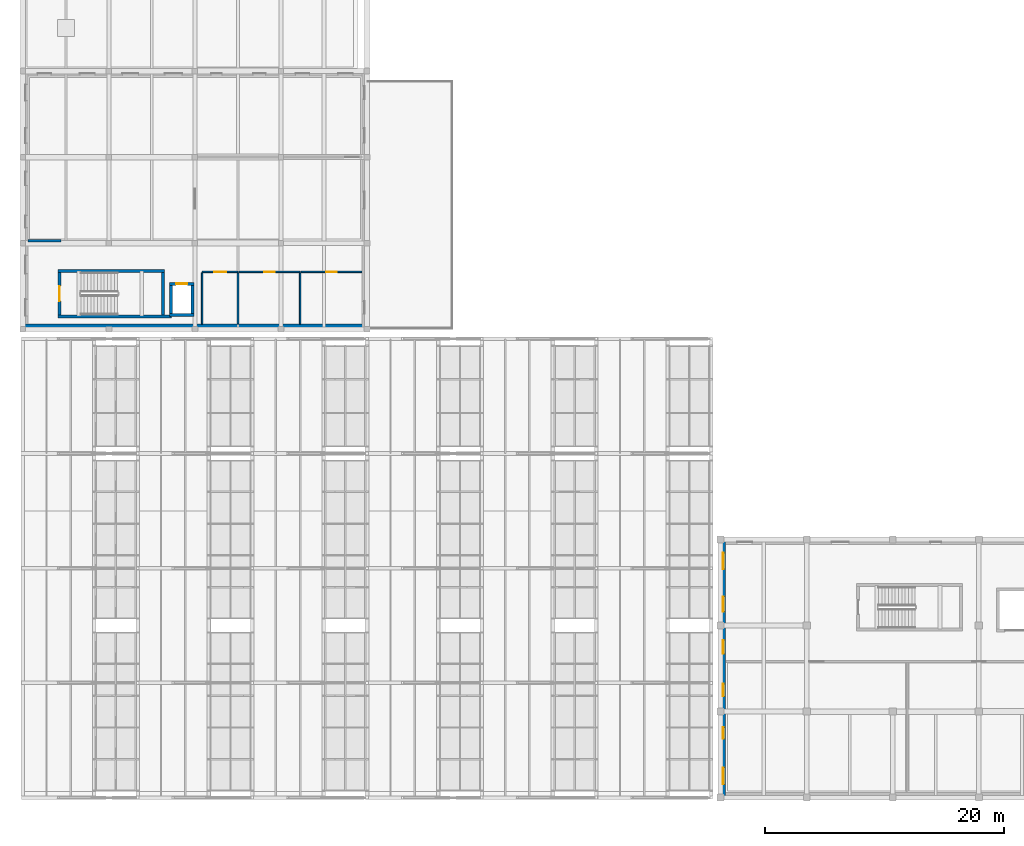
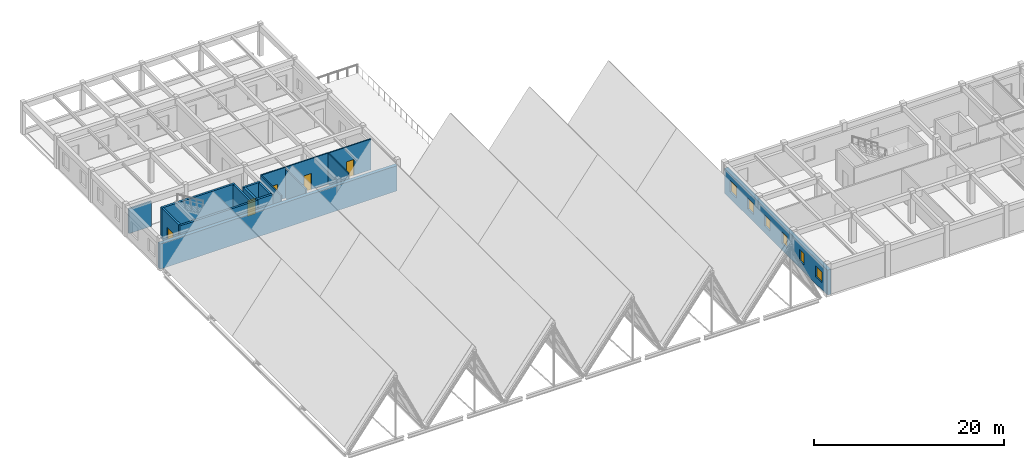
# One storey, part 82 of 99: 17 walls, 6 windows, 5 doors, 11 openings.
"""IFC4 building model written with IfcOpenShell, lengths in metres."""

from ifc_helpers import new_model, si_unit, direction, frame, frame_2d, origin, place, context, subcontext, project, spatial, rectangle, extrude, material, layer, layer_set, type_object, element, fill, save


model = new_model("IFC4")

# Units and contexts
model_context = context("Model", 3, precision=1e-05, world=origin(), true_north=direction((0.0, 1.0)))
body_context = subcontext(model_context, "Body", "Model", "MODEL_VIEW")
ifc_project = project(units=[si_unit("LENGTHUNIT", "METRE"), si_unit("AREAUNIT", "SQUARE_METRE"), si_unit("VOLUMEUNIT", "CUBIC_METRE"), si_unit("PLANEANGLEUNIT", "RADIAN"), si_unit("MASSUNIT", "GRAM", prefix="KILO")], contexts=[model_context])

# Site, building, storey
site_placement = place(None, origin())
site = spatial("IfcSite", under=ifc_project, at=site_placement, CompositionType="ELEMENT")
building_placement = place(site_placement, origin())
building = spatial("IfcBuilding", under=site, at=building_placement, Name="Bramveld Media Centre", CompositionType="ELEMENT")
storey_placement = place(building_placement, frame((0.0, 0.0, 13.800048828125)))
storey = spatial("IfcBuildingStorey", under=building, at=storey_placement, Name="L03", CompositionType="ELEMENT", Elevation=13.800048828125)

# Walls
ifc_material_1 = material(Name="Concrete C40/50 stair & lift core wall", Category="concrete")
ifc_layer_1 = layer(ifc_material_1, 0.25)
ifc_layer_set_1 = layer_set([ifc_layer_1], Name="Concrete C40/50 stair & lift core wall")
wall_type_1 = type_object("IfcWallType", Name="CWALL-SHEAR-250", PredefinedType="SHEAR", material=ifc_layer_set_1)
wall_1_placement = place(storey_placement, frame((2.949951171875, 40.27490234375, 0.0), z_axis=(0.0, 0.0, 1.0), x_axis=(1.0, 0.0, 0.0)))
element("IfcWall", 1, at=wall_1_placement, inside=storey, type_object=wall_type_1, Name="ST-04 L03 stair core shear wall S", PredefinedType="SHEAR", context=body_context, shape_type="SweptSolid", body=[
    extrude(rectangle(XDim=9.469970703125, YDim=0.25, at=frame_2d((4.73486328125, 0.0))), origin(), (0.0, 0.0, 1.0), 3.9599609375),
])
wall_2_placement = place(storey_placement, frame((11.85009765625, 44.074951171875, 0.0), z_axis=(0.0, 0.0, 1.0), x_axis=(-1.0, 0.0, 0.0)))
element("IfcWall", 2, at=wall_2_placement, inside=storey, type_object=wall_type_1, Name="ST-04 L03 stair core shear wall N", PredefinedType="SHEAR", context=body_context, shape_type="SweptSolid", body=[
    extrude(rectangle(XDim=8.900146484375, YDim=0.25, at=frame_2d((4.4501953125, 0.0))), origin(), (0.0, 0.0, 1.0), 3.9599609375),
])

# Wall, opening, door
wall_3_placement = place(storey_placement, frame((3.074951171875, 43.949951171875, 0.0), z_axis=(0.0, 0.0, 1.0), x_axis=(0.0, -1.0, 0.0)))
wall_3 = element("IfcWall", 3, at=wall_3_placement, inside=storey, type_object=wall_type_1, Name="ST-04 L03 stair core shear wall W", PredefinedType="SHEAR", context=body_context, shape_type="SweptSolid", body=[
    extrude(rectangle(XDim=3.550048828125, YDim=0.25, at=frame_2d((1.77490234375, 0.0))), origin(), (0.0, 0.0, 1.0), 3.9599609375),
])
opening_1_placement = place(wall_3_placement, frame((1.14990234375, 0.0, 0.0)))
opening_1 = element("IfcOpeningElement", 4, at=opening_1_placement, cuts=wall_3, Name="Opening SD-04-L03", PredefinedType="OPENING", context=body_context, shape_type="SweptSolid", body=[
    extrude(rectangle(XDim=1.25, YDim=2.14990234375, at=frame_2d((0.625, 1.074951171875))), frame((0.0, 0.136962890625, 0.0), z_axis=(0.0, -1.0, 0.0), x_axis=(1.0, 0.0, 0.0)), (0.0, 0.0, 1.0), 0.27392578125),
])
ifc_material_2 = material(Name="Painted galvanized steel acoustic fire door with intumescent smoke seals", Category="steel")
door_type_1 = type_object("IfcDoorType", Name="DR-ST-1250", OperationType="NOTDEFINED", PredefinedType="DOOR", material=ifc_material_2)
door_1_placement = place(opening_1_placement, origin())
door_1 = element("IfcDoor", 5, at=door_1_placement, inside=storey, type_object=door_type_1, Name="ST-04 L03 pressurized stair fire door", OperationType="SINGLE_SWING_LEFT", OverallHeight=2.14990234375, OverallWidth=1.25, PredefinedType="DOOR", context=body_context, shape_type="SweptSolid", body=[
    extrude(rectangle(XDim=1.25, YDim=2.14990234375, at=frame_2d((0.625, 1.074951171875))), frame((0.0, 0.02490234375, 0.0), z_axis=(0.0, -1.0, 0.0), x_axis=(1.0, 0.0, 0.0)), (0.0, 0.0, 1.0), 0.050048828125),
])
fill(opening_1, door_1)

# Walls
wall_4_placement = place(storey_placement, frame((11.72509765625, 40.39990234375, 0.0), z_axis=(0.0, 0.0, 1.0), x_axis=(0.0, 1.0, 0.0)))
element("IfcWall", 6, at=wall_4_placement, inside=storey, type_object=wall_type_1, Name="ST-04 L03 stair core shear wall E", PredefinedType="SHEAR", context=body_context, shape_type="SweptSolid", body=[
    extrude(rectangle(XDim=3.550048828125, YDim=0.25, at=frame_2d((1.77490234375, 0.0))), origin(), (0.0, 0.0, 1.0), 3.9599609375),
])
wall_5_placement = place(storey_placement, frame((12.27490234375, 40.39990234375, 0.0), z_axis=(0.0, 0.0, 1.0), x_axis=(1.0, 0.0, 0.0)))
element("IfcWall", 7, at=wall_5_placement, inside=storey, type_object=wall_type_1, Name="PL-05 L03 lift shaft wall S", PredefinedType="SHEAR", context=body_context, shape_type="SweptSolid", body=[
    extrude(rectangle(XDim=2.050048828125, YDim=0.25, at=frame_2d((1.02490234375, 0.0))), origin(), (0.0, 0.0, 1.0), 3.9599609375),
])

# Wall, opening, door
wall_6_placement = place(storey_placement, frame((14.324951171875, 43.0, 0.0), z_axis=(0.0, 0.0, 1.0), x_axis=(-1.0, 0.0, 0.0)))
wall_6 = element("IfcWall", 8, at=wall_6_placement, inside=storey, type_object=wall_type_1, Name="PL-05 L03 lift shaft wall N", PredefinedType="SHEAR", context=body_context, shape_type="SweptSolid", body=[
    extrude(rectangle(XDim=2.050048828125, YDim=0.25, at=frame_2d((1.02490234375, 0.0))), origin(), (0.0, 0.0, 1.0), 3.9599609375),
])
opening_2_placement = place(wall_6_placement, frame((0.550048828125, 0.0, 0.0)))
opening_2 = element("IfcOpeningElement", 9, at=opening_2_placement, cuts=wall_6, Name="Opening LD-03-05-L03", PredefinedType="OPENING", context=body_context, shape_type="SweptSolid", body=[
    extrude(rectangle(XDim=0.949951171875, YDim=2.10009765625, at=frame_2d((0.47509765625, 1.050048828125))), frame((0.0, 0.136962890625, 0.0), z_axis=(0.0, -1.0, 0.0), x_axis=(1.0, 0.0, 0.0)), (0.0, 0.0, 1.0), 0.27392578125),
])
ifc_material_3 = material(Name="Brushed stainless steel automatic fire-rated sliding lift landing door", Category="steel")
door_type_2 = type_object("IfcDoorType", Name="LD-TYPE-03", OperationType="SLIDING_TO_LEFT", PredefinedType="DOOR", material=ifc_material_3)
door_2_placement = place(opening_2_placement, origin())
door_2 = element("IfcDoor", 10, at=door_2_placement, inside=storey, type_object=door_type_2, Name="PL-05 L03 sliding lift landing door", OperationType="SLIDING_TO_LEFT", OverallHeight=2.10009765625, OverallWidth=0.949951171875, PredefinedType="DOOR", context=body_context, shape_type="SweptSolid", body=[
    extrude(rectangle(XDim=0.949951171875, YDim=2.10009765625, at=frame_2d((0.47509765625, 1.050048828125))), frame((0.0, 0.02490234375, 0.0), z_axis=(0.0, -1.0, 0.0), x_axis=(1.0, 0.0, 0.0)), (0.0, 0.0, 1.0), 0.050048828125),
])
fill(opening_2, door_2)

# Walls
for number, where, z_axis, x_axis, name in (
    (11, (12.39990234375, 43.0, 0.0), (0.0, 0.0, 1.0), (0.0, -1.0, 0.0), "PL-05 L03 lift shaft wall W"),
    (12, (14.199951171875, 40.39990234375, 0.0), (0.0, 0.0, 1.0), (0.0, 1.0, 0.0), "PL-05 L03 lift shaft wall E"),
):
    element("IfcWall", number, at=place(storey_placement, frame(where, z_axis=z_axis, x_axis=x_axis)), inside=storey, type_object=wall_type_1, Name=name, PredefinedType="SHEAR", context=body_context, shape_type="SweptSolid", body=[
        extrude(rectangle(XDim=2.60009765625, YDim=0.25, at=frame_2d((1.300048828125, 0.0))), origin(), (0.0, 0.0, 1.0), 3.9599609375),
    ])
ifc_material_4 = material(Name="Flemish red-brown clay facing brick cavity wall with concrete C35/45 inner leaf", Category="masonry")
ifc_layer_2 = layer(ifc_material_4, 0.419921875)
ifc_layer_set_2 = layer_set([ifc_layer_2], Name="Flemish red-brown clay facing brick cavity wall with concrete C35/45 inner leaf")
wall_type_2 = type_object("IfcWallType", Name="EW-BRK-420", PredefinedType="SOLIDWALL", material=ifc_layer_set_2)
wall_7_placement = place(storey_placement, frame((28.800048828125, 39.409912109375, 0.0), z_axis=(0.0, 0.0, 1.0), x_axis=(-1.0, 0.0, 0.0)))
element("IfcWall", 13, at=wall_7_placement, inside=storey, type_object=wall_type_2, Name="V3 L03 S facing brick exterior wall", PredefinedType="SOLIDWALL", context=body_context, shape_type="SweptSolid", body=[
    extrude(rectangle(XDim=28.800048828125, YDim=0.419921875, at=frame_2d((14.39990234375, 0.0))), origin(), (0.0, 0.0, 1.0), 3.244873046875),
])

# Wall, openings, windows
wall_8_placement = place(storey_placement, frame((58.610107421875, 0.0, 0.0), z_axis=(0.0, 0.0, 1.0), x_axis=(0.0, 1.0, 0.0)))
wall_8 = element("IfcWall", 14, at=wall_8_placement, inside=storey, type_object=wall_type_2, Name="V5 L03 W facing brick exterior wall", PredefinedType="SOLIDWALL", context=body_context, shape_type="SweptSolid", body=[
    extrude(rectangle(XDim=21.60009765625, YDim=0.419921875, at=frame_2d((10.800048828125, 0.0))), origin(), (0.0, 0.0, 1.0), 3.21484375),
])
opening_3_placement = place(wall_8_placement, frame((1.10009765625, 0.0, 0.89990234375)))
opening_3 = element("IfcOpeningElement", 15, at=opening_3_placement, cuts=wall_8, Name="Opening W-06", PredefinedType="OPENING", context=body_context, shape_type="SweptSolid", body=[
    extrude(rectangle(XDim=1.39990234375, YDim=1.35009765625, at=frame_2d((0.699951171875, 0.675048828125))), frame((0.0, 0.221923828125, 0.0), z_axis=(0.0, -1.0, 0.0), x_axis=(1.0, 0.0, 0.0)), (0.0, 0.0, 1.0), 0.44384765625),
])
opening_4_placement = place(wall_8_placement, frame((4.925048828125, 0.0, 0.89990234375)))
opening_4 = element("IfcOpeningElement", 16, at=opening_4_placement, cuts=wall_8, Name="Opening W-07", PredefinedType="OPENING", context=body_context, shape_type="SweptSolid", body=[
    extrude(rectangle(XDim=0.949951171875, YDim=1.449951171875, at=frame_2d((0.47509765625, 0.72509765625))), frame((0.0, 0.221923828125, 0.0), z_axis=(0.0, -1.0, 0.0), x_axis=(1.0, 0.0, 0.0)), (0.0, 0.0, 1.0), 0.44384765625),
])
opening_5_placement = place(wall_8_placement, frame((8.47509765625, 0.0, 0.89990234375)))
opening_5 = element("IfcOpeningElement", 17, at=opening_5_placement, cuts=wall_8, Name="Opening W-08", PredefinedType="OPENING", context=body_context, shape_type="SweptSolid", body=[
    extrude(rectangle(XDim=1.050048828125, YDim=1.449951171875, at=frame_2d((0.52490234375, 0.72509765625))), frame((0.0, 0.221923828125, 0.0), z_axis=(0.0, -1.0, 0.0), x_axis=(1.0, 0.0, 0.0)), (0.0, 0.0, 1.0), 0.44384765625),
])
opening_6_placement = place(wall_8_placement, frame((12.02490234375, 0.0, 0.89990234375)))
opening_6 = element("IfcOpeningElement", 18, at=opening_6_placement, cuts=wall_8, Name="Opening W-09", PredefinedType="OPENING", context=body_context, shape_type="SweptSolid", body=[
    extrude(rectangle(XDim=1.14990234375, YDim=1.449951171875, at=frame_2d((0.574951171875, 0.72509765625))), frame((0.0, 0.221923828125, 0.0), z_axis=(0.0, -1.0, 0.0), x_axis=(1.0, 0.0, 0.0)), (0.0, 0.0, 1.0), 0.44384765625),
])
opening_7_placement = place(wall_8_placement, frame((15.574951171875, 0.0, 0.89990234375)))
opening_7 = element("IfcOpeningElement", 19, at=opening_7_placement, cuts=wall_8, Name="Opening W-10", PredefinedType="OPENING", context=body_context, shape_type="SweptSolid", body=[
    extrude(rectangle(XDim=1.25, YDim=1.449951171875, at=frame_2d((0.625, 0.72509765625))), frame((0.0, 0.221923828125, 0.0), z_axis=(0.0, -1.0, 0.0), x_axis=(1.0, 0.0, 0.0)), (0.0, 0.0, 1.0), 0.44384765625),
])
opening_8_placement = place(wall_8_placement, frame((19.125, 0.0, 0.89990234375)))
opening_8 = element("IfcOpeningElement", 20, at=opening_8_placement, cuts=wall_8, Name="Opening W-11", PredefinedType="OPENING", context=body_context, shape_type="SweptSolid", body=[
    extrude(rectangle(XDim=1.35009765625, YDim=1.449951171875, at=frame_2d((0.675048828125, 0.72509765625))), frame((0.0, 0.221923828125, 0.0), z_axis=(0.0, -1.0, 0.0), x_axis=(1.0, 0.0, 0.0)), (0.0, 0.0, 1.0), 0.44384765625),
])
ifc_material_5 = material(Name="Thermally broken anodized bronze aluminium frame with triple acoustic glazing", Category="aluminium")
window_type_1 = type_object("IfcWindowType", Name="WIN-FAC-06", PartitioningType="SINGLE_PANEL", PredefinedType="WINDOW", material=ifc_material_5)
window_1_placement = place(opening_3_placement, origin())
window_1 = element("IfcWindow", 21, at=window_1_placement, inside=storey, type_object=window_type_1, Name="V5 L03 W acoustic facade window", OverallHeight=1.35009765625, OverallWidth=1.39990234375, PartitioningType="SINGLE_PANEL", PredefinedType="WINDOW", context=body_context, shape_type="SweptSolid", body=[
    extrude(rectangle(XDim=1.39990234375, YDim=1.35009765625, at=frame_2d((0.699951171875, 0.675048828125))), frame((0.0, 0.030029296875, 0.0), z_axis=(0.0, -1.0, 0.0), x_axis=(1.0, 0.0, 0.0)), (0.0, 0.0, 1.0), 0.06005859375),
])
fill(opening_3, window_1)
ifc_material_6 = material(Name="Thermally broken anodized bronze aluminium frame with triple acoustic glazing", Category="aluminium")
window_type_2 = type_object("IfcWindowType", Name="WIN-FAC-07", PartitioningType="SINGLE_PANEL", PredefinedType="WINDOW", material=ifc_material_6)
window_2_placement = place(opening_4_placement, origin())
window_2 = element("IfcWindow", 22, at=window_2_placement, inside=storey, type_object=window_type_2, Name="V5 L03 W acoustic facade window", OverallHeight=1.449951171875, OverallWidth=0.949951171875, PartitioningType="SINGLE_PANEL", PredefinedType="WINDOW", context=body_context, shape_type="SweptSolid", body=[
    extrude(rectangle(XDim=0.949951171875, YDim=1.449951171875, at=frame_2d((0.47509765625, 0.72509765625))), frame((0.0, 0.030029296875, 0.0), z_axis=(0.0, -1.0, 0.0), x_axis=(1.0, 0.0, 0.0)), (0.0, 0.0, 1.0), 0.06005859375),
])
fill(opening_4, window_2)
ifc_material_7 = material(Name="Thermally broken anodized bronze aluminium frame with triple acoustic glazing", Category="aluminium")
window_type_3 = type_object("IfcWindowType", Name="WIN-FAC-08", PartitioningType="SINGLE_PANEL", PredefinedType="WINDOW", material=ifc_material_7)
window_3_placement = place(opening_5_placement, origin())
window_3 = element("IfcWindow", 23, at=window_3_placement, inside=storey, type_object=window_type_3, Name="V5 L03 W acoustic facade window", OverallHeight=1.449951171875, OverallWidth=1.050048828125, PartitioningType="SINGLE_PANEL", PredefinedType="WINDOW", context=body_context, shape_type="SweptSolid", body=[
    extrude(rectangle(XDim=1.050048828125, YDim=1.449951171875, at=frame_2d((0.52490234375, 0.72509765625))), frame((0.0, 0.030029296875, 0.0), z_axis=(0.0, -1.0, 0.0), x_axis=(1.0, 0.0, 0.0)), (0.0, 0.0, 1.0), 0.06005859375),
])
fill(opening_5, window_3)
ifc_material_8 = material(Name="Thermally broken anodized bronze aluminium frame with triple acoustic glazing", Category="aluminium")
window_type_4 = type_object("IfcWindowType", Name="WIN-FAC-09", PartitioningType="SINGLE_PANEL", PredefinedType="WINDOW", material=ifc_material_8)
window_4_placement = place(opening_6_placement, origin())
window_4 = element("IfcWindow", 24, at=window_4_placement, inside=storey, type_object=window_type_4, Name="V5 L03 W acoustic facade window", OverallHeight=1.449951171875, OverallWidth=1.14990234375, PartitioningType="SINGLE_PANEL", PredefinedType="WINDOW", context=body_context, shape_type="SweptSolid", body=[
    extrude(rectangle(XDim=1.14990234375, YDim=1.449951171875, at=frame_2d((0.574951171875, 0.72509765625))), frame((0.0, 0.030029296875, 0.0), z_axis=(0.0, -1.0, 0.0), x_axis=(1.0, 0.0, 0.0)), (0.0, 0.0, 1.0), 0.06005859375),
])
fill(opening_6, window_4)
ifc_material_9 = material(Name="Thermally broken anodized bronze aluminium frame with triple acoustic glazing", Category="aluminium")
window_type_5 = type_object("IfcWindowType", Name="WIN-FAC-10", PartitioningType="SINGLE_PANEL", PredefinedType="WINDOW", material=ifc_material_9)
window_5_placement = place(opening_7_placement, origin())
window_5 = element("IfcWindow", 25, at=window_5_placement, inside=storey, type_object=window_type_5, Name="V5 L03 W acoustic facade window", OverallHeight=1.449951171875, OverallWidth=1.25, PartitioningType="SINGLE_PANEL", PredefinedType="WINDOW", context=body_context, shape_type="SweptSolid", body=[
    extrude(rectangle(XDim=1.25, YDim=1.449951171875, at=frame_2d((0.625, 0.72509765625))), frame((0.0, 0.030029296875, 0.0), z_axis=(0.0, -1.0, 0.0), x_axis=(1.0, 0.0, 0.0)), (0.0, 0.0, 1.0), 0.06005859375),
])
fill(opening_7, window_5)
ifc_material_10 = material(Name="Thermally broken anodized bronze aluminium frame with triple acoustic glazing", Category="aluminium")
window_type_6 = type_object("IfcWindowType", Name="WIN-FAC-11", PartitioningType="SINGLE_PANEL", PredefinedType="WINDOW", material=ifc_material_10)
window_6_placement = place(opening_8_placement, origin())
window_6 = element("IfcWindow", 26, at=window_6_placement, inside=storey, type_object=window_type_6, Name="V5 L03 W acoustic facade window", OverallHeight=1.449951171875, OverallWidth=1.35009765625, PartitioningType="SINGLE_PANEL", PredefinedType="WINDOW", context=body_context, shape_type="SweptSolid", body=[
    extrude(rectangle(XDim=1.35009765625, YDim=1.449951171875, at=frame_2d((0.675048828125, 0.72509765625))), frame((0.0, 0.030029296875, 0.0), z_axis=(0.0, -1.0, 0.0), x_axis=(1.0, 0.0, 0.0)), (0.0, 0.0, 1.0), 0.06005859375),
])
fill(opening_8, window_6)

# Wall
ifc_material_11 = material(Name="Fire-rated twin-frame gypsum corridor wall", Category="gypsum")
ifc_layer_3 = layer(ifc_material_11, 0.179931640625)
ifc_layer_set_3 = layer_set([ifc_layer_3], Name="Fire-rated twin-frame gypsum corridor wall")
wall_type_3 = type_object("IfcWallType", Name="IW-FIRE-180", PredefinedType="PARTITIONING", material=ifc_layer_set_3)
wall_9_placement = place(storey_placement, frame((0.429931640625, 46.60009765625, 0.0), z_axis=(0.0, 0.0, 1.0), x_axis=(1.0, 0.0, 0.0)))
element("IfcWall", 27, at=wall_9_placement, inside=storey, type_object=wall_type_3, Name="Stair ST-04 L03 Landing Lobby partition wall", PredefinedType="PARTITIONING", context=body_context, shape_type="SweptSolid", body=[
    extrude(rectangle(XDim=2.77001953125, YDim=0.179931640625, at=frame_2d((1.385009765625, 0.0))), origin(), (0.0, 0.0, 1.0), 3.18505859375),
])

# Wall, opening, door
ifc_material_12 = material(Name="Moisture-resistant cement-board sanitary partition", Category="gypsum")
ifc_layer_4 = layer(ifc_material_12, 0.139892578125)
ifc_layer_set_4 = layer_set([ifc_layer_4], Name="Moisture-resistant cement-board sanitary partition")
wall_type_4 = type_object("IfcWallType", Name="IW-WET-140", PredefinedType="PARTITIONING", material=ifc_layer_set_4)
wall_10_placement = place(storey_placement, frame((15.0, 44.0, 0.0), z_axis=(0.0, 0.0, 1.0), x_axis=(1.0, 0.0, 0.0)))
wall_10 = element("IfcWall", 28, at=wall_10_placement, inside=storey, type_object=wall_type_4, Name="Accessible WC partition wall", PredefinedType="PARTITIONING", context=body_context, shape_type="SweptSolid", body=[
    extrude(rectangle(XDim=3.0, YDim=0.139892578125, at=frame_2d((1.5, 0.0))), origin(), (0.0, 0.0, 1.0), 3.9599609375),
])
opening_9_placement = place(wall_10_placement, frame((1.0, 0.0, 0.0)))
opening_9 = element("IfcOpeningElement", 29, at=opening_9_placement, cuts=wall_10, Name="Opening D-03-142", PredefinedType="OPENING", context=body_context, shape_type="SweptSolid", body=[
    extrude(rectangle(XDim=1.0, YDim=2.10009765625, at=frame_2d((0.5, 1.050048828125))), frame((0.0, 0.08203125, 0.0), z_axis=(0.0, -1.0, 0.0), x_axis=(1.0, 0.0, 0.0)), (0.0, 0.0, 1.0), 0.163818359375),
])
ifc_material_13 = material(Name="Solid-core European oak acoustic timber leaf in steel frame", Category="steel")
door_type_3 = type_object("IfcDoorType", Name="DR-WC-PMR-1000", OperationType="NOTDEFINED", PredefinedType="DOOR", material=ifc_material_13)
door_3_placement = place(opening_9_placement, origin())
door_3 = element("IfcDoor", 30, at=door_3_placement, inside=storey, type_object=door_type_3, Name="Accessible WC entrance door", OperationType="SINGLE_SWING_RIGHT", OverallHeight=2.10009765625, OverallWidth=1.0, PredefinedType="DOOR", context=body_context, shape_type="SweptSolid", body=[
    extrude(rectangle(XDim=1.0, YDim=2.10009765625, at=frame_2d((0.5, 1.050048828125))), frame((0.0, 0.02490234375, 0.0), z_axis=(0.0, -1.0, 0.0), x_axis=(1.0, 0.0, 0.0)), (0.0, 0.0, 1.0), 0.050048828125),
])
fill(opening_9, door_3)

# Walls
wall_11_placement = place(storey_placement, frame((15.0, 39.6298828125, 0.0), z_axis=(0.0, 0.0, 1.0), x_axis=(0.0, 1.0, 0.0)))
element("IfcWall", 31, at=wall_11_placement, inside=storey, type_object=wall_type_4, Name="Accessible WC partition wall", PredefinedType="PARTITIONING", context=body_context, shape_type="SweptSolid", body=[
    extrude(rectangle(XDim=4.2900390625, YDim=0.139892578125, at=frame_2d((2.14501953125, 0.0))), origin(), (0.0, 0.0, 1.0), 3.9599609375),
])
wall_12_placement = place(storey_placement, frame((18.0, 39.6298828125, 0.0), z_axis=(0.0, 0.0, 1.0), x_axis=(0.0, 1.0, 0.0)))
element("IfcWall", 32, at=wall_12_placement, inside=storey, type_object=wall_type_4, Name="Accessible WC partition wall", PredefinedType="PARTITIONING", context=body_context, shape_type="SweptSolid", body=[
    extrude(rectangle(XDim=4.2900390625, YDim=0.139892578125, at=frame_2d((2.14501953125, 0.0))), origin(), (0.0, 0.0, 1.0), 3.763916015625),
])

# Wall, opening, door
wall_13_placement = place(storey_placement, frame((18.080078125, 44.0, 0.0), z_axis=(0.0, 0.0, 1.0), x_axis=(1.0, 0.0, 0.0)))
wall_13 = element("IfcWall", 33, at=wall_13_placement, inside=storey, type_object=wall_type_4, Name="Male WC partition wall", PredefinedType="PARTITIONING", context=body_context, shape_type="SweptSolid", body=[
    extrude(rectangle(XDim=5.119873046875, YDim=0.139892578125, at=frame_2d((2.56005859375, 0.0))), origin(), (0.0, 0.0, 1.0), 3.9599609375),
])
opening_10_placement = place(wall_13_placement, frame((2.10498046875, 0.0, 0.0)))
opening_10 = element("IfcOpeningElement", 34, at=opening_10_placement, cuts=wall_13, Name="Opening D-03-143", PredefinedType="OPENING", context=body_context, shape_type="SweptSolid", body=[
    extrude(rectangle(XDim=0.909912109375, YDim=2.06005859375, at=frame_2d((0.455078125, 1.030029296875))), frame((0.0, 0.08203125, 0.0), z_axis=(0.0, -1.0, 0.0), x_axis=(1.0, 0.0, 0.0)), (0.0, 0.0, 1.0), 0.163818359375),
])
ifc_material_14 = material(Name="Solid-core European oak acoustic timber leaf in steel frame", Category="steel")
door_type_4 = type_object("IfcDoorType", Name="DR-WC-0910", OperationType="NOTDEFINED", PredefinedType="DOOR", material=ifc_material_14)
door_4_placement = place(opening_10_placement, origin())
door_4 = element("IfcDoor", 35, at=door_4_placement, inside=storey, type_object=door_type_4, Name="Male WC entrance door", OperationType="SINGLE_SWING_LEFT", OverallHeight=2.06005859375, OverallWidth=0.909912109375, PredefinedType="DOOR", context=body_context, shape_type="SweptSolid", body=[
    extrude(rectangle(XDim=0.909912109375, YDim=2.06005859375, at=frame_2d((0.455078125, 1.030029296875))), frame((0.0, 0.02490234375, 0.0), z_axis=(0.0, -1.0, 0.0), x_axis=(1.0, 0.0, 0.0)), (0.0, 0.0, 1.0), 0.050048828125),
])
fill(opening_10, door_4)

# Wall
wall_14_placement = place(storey_placement, frame((23.199951171875, 39.6298828125, 0.0), z_axis=(0.0, 0.0, 1.0), x_axis=(0.0, 1.0, 0.0)))
element("IfcWall", 36, at=wall_14_placement, inside=storey, type_object=wall_type_4, Name="Male WC partition wall", PredefinedType="PARTITIONING", context=body_context, shape_type="SweptSolid", body=[
    extrude(rectangle(XDim=4.2900390625, YDim=0.139892578125, at=frame_2d((2.14501953125, 0.0))), origin(), (0.0, 0.0, 1.0), 3.949951171875),
])

# Wall, opening, door
wall_15_placement = place(storey_placement, frame((23.280029296875, 44.0, 0.0), z_axis=(0.0, 0.0, 1.0), x_axis=(1.0, 0.0, 0.0)))
wall_15 = element("IfcWall", 37, at=wall_15_placement, inside=storey, type_object=wall_type_4, Name="Female WC partition wall", PredefinedType="PARTITIONING", context=body_context, shape_type="SweptSolid", body=[
    extrude(rectangle(XDim=5.090087890625, YDim=0.139892578125, at=frame_2d((2.544921875, 0.0))), origin(), (0.0, 0.0, 1.0), 3.949951171875),
])
opening_11_placement = place(wall_15_placement, frame((2.10009765625, 0.0, 0.0)))
opening_11 = element("IfcOpeningElement", 38, at=opening_11_placement, cuts=wall_15, Name="Opening D-03-144", PredefinedType="OPENING", context=body_context, shape_type="SweptSolid", body=[
    extrude(rectangle(XDim=0.889892578125, YDim=2.050048828125, at=frame_2d((0.44482421875, 1.02490234375))), frame((0.0, 0.08203125, 0.0), z_axis=(0.0, -1.0, 0.0), x_axis=(1.0, 0.0, 0.0)), (0.0, 0.0, 1.0), 0.163818359375),
])
ifc_material_15 = material(Name="Solid-core European oak acoustic timber leaf in steel frame", Category="steel")
door_type_5 = type_object("IfcDoorType", Name="DR-WC-0890", OperationType="NOTDEFINED", PredefinedType="DOOR", material=ifc_material_15)
door_5_placement = place(opening_11_placement, origin())
door_5 = element("IfcDoor", 39, at=door_5_placement, inside=storey, type_object=door_type_5, Name="Female WC entrance door", OperationType="SINGLE_SWING_RIGHT", OverallHeight=2.050048828125, OverallWidth=0.889892578125, PredefinedType="DOOR", context=body_context, shape_type="SweptSolid", body=[
    extrude(rectangle(XDim=0.889892578125, YDim=2.050048828125, at=frame_2d((0.44482421875, 1.02490234375))), frame((0.0, 0.02490234375, 0.0), z_axis=(0.0, -1.0, 0.0), x_axis=(1.0, 0.0, 0.0)), (0.0, 0.0, 1.0), 0.050048828125),
])
fill(opening_11, door_5)

save(model, "model.ifc")
